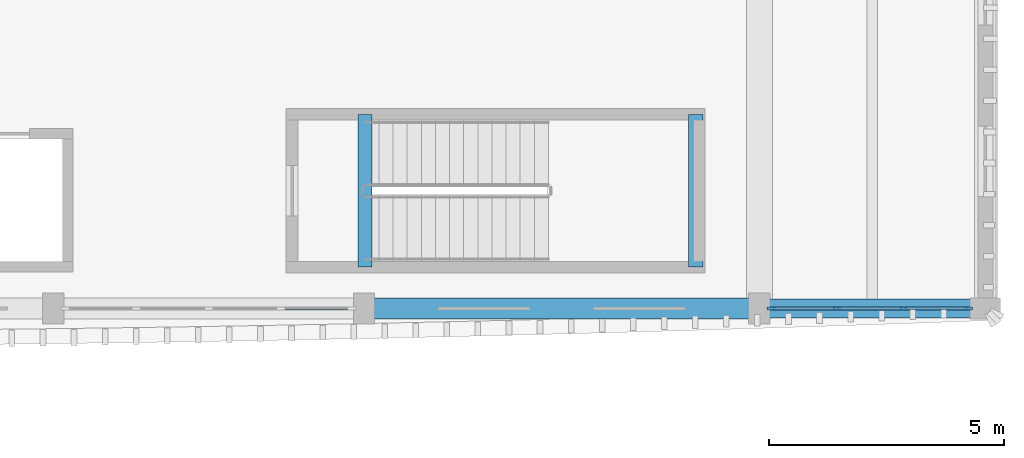
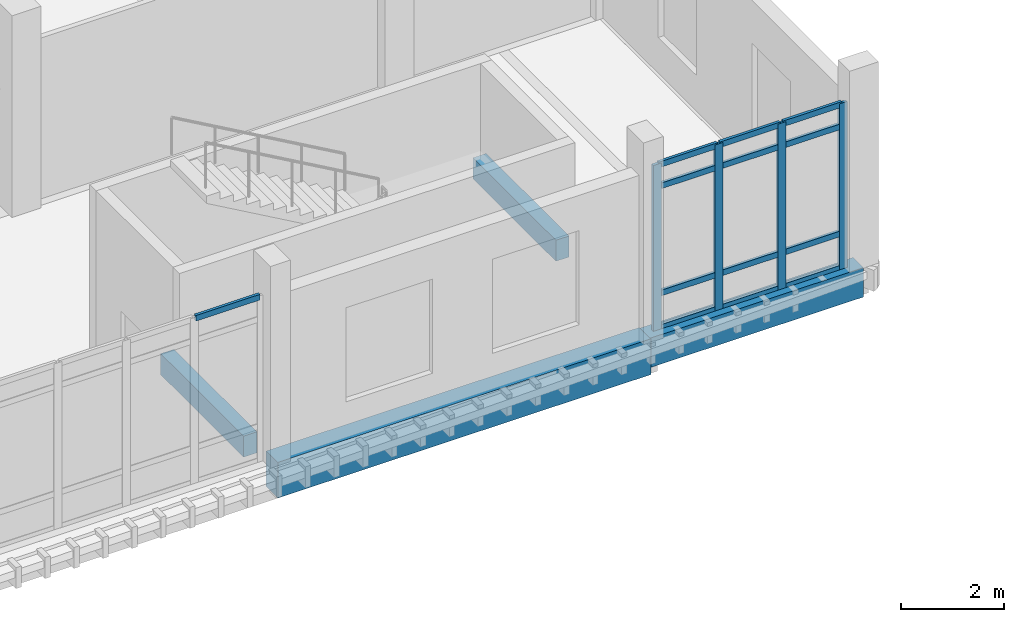
# One storey, part 14 of 50: 17 members, 4 beams, 2 elements without a shape of their own.
"""IFC4 building model written with IfcOpenShell, lengths in metres."""

from ifc_helpers import new_model, si_unit, direction, frame, origin, origin_2d, place, context, subcontext, project, spatial, rectangle, extrude, material, material_profile, profile_set, type_object, element, aggregate, save


model = new_model("IFC4")

# Units and contexts
model_context = context("Model", 3, precision=1e-05, world=origin(), true_north=direction((0.0, 1.0)))
body_context = subcontext(model_context, "Body", "Model", "MODEL_VIEW")
ifc_project = project(units=[si_unit("LENGTHUNIT", "METRE"), si_unit("AREAUNIT", "SQUARE_METRE"), si_unit("VOLUMEUNIT", "CUBIC_METRE"), si_unit("PLANEANGLEUNIT", "RADIAN"), si_unit("MASSUNIT", "GRAM", prefix="KILO")], contexts=[model_context])

# Site, building, storey
site_placement = place(None, origin())
site = spatial("IfcSite", under=ifc_project, at=site_placement, CompositionType="ELEMENT")
building_placement = place(site_placement, origin())
building = spatial("IfcBuilding", under=site, at=building_placement, Name="Dornvale Research Institute", CompositionType="ELEMENT")
storey_placement = place(building_placement, frame((0.0, 0.0, 19.800048828125)))
storey = spatial("IfcBuildingStorey", under=building, at=storey_placement, Name="L04", CompositionType="ELEMENT", Elevation=19.800048828125)

# Beams
ifc_material_1 = material(Name="Concrete f'c 45 MPa (C35/45)", Category="concrete")
ifc_material_profile_1 = material_profile(ifc_material_1, rectangle(XDim=0.300048828125, YDim=0.5, at=origin_2d()), Name="RC 300x500")
ifc_profile_set_1 = profile_set([ifc_material_profile_1], Name="Concrete f'c 45 MPa (C35/45)")
beam_type_1 = type_object("IfcBeamType", Name="Beam_RC300x500_Trim", PredefinedType="BEAM", material=ifc_profile_set_1)
for number, where, z_axis, x_axis, name in (
    (1, (165.02001953125, 93.280029296875, -0.25), (0.0, 1.0, 0.0), (-1.0, 0.0, 0.0), "L04 ST-4 stair landing trimmer beam #66"),
    (2, (172.050048828125, 93.280029296875, 1.949951171875), (0.0, 1.0, 0.0), (-1.0, 0.0, 0.0), "L04 ST-4 half-landing support beam #75"),
):
    element("IfcBeam", number, at=place(storey_placement, frame(where, z_axis=z_axis, x_axis=x_axis)), inside=storey, type_object=beam_type_1, Name=name, PredefinedType="BEAM", context=body_context, shape_type="SweptSolid", body=[
        extrude(rectangle(XDim=0.300048828125, YDim=0.5, at=origin_2d()), origin(), (0.0, 0.0, 1.0), 3.239990234375),
    ])

# Curtain wall, members
ifc_material_2 = material(Name="Low-E Argon Double Insulating Glazing Unit", Category="glass")
curtain_wall_type_1 = type_object("IfcCurtainWallType", Name="UnitisedCurtainWall_V4_4250x3950", PredefinedType="USERDEFINED", material=ifc_material_2)
curtain_wall_1_placement = place(storey_placement, origin())
curtain_wall_1 = element("IfcCurtainWall", 3, at=curtain_wall_1_placement, inside=storey, type_object=curtain_wall_type_1, Name="L04 V4 unitised curtain wall CW-17 #104", ObjectType="UNITISED CURTAIN WALL", PredefinedType="USERDEFINED")
ifc_material_3 = material(Name="Anodized Aluminum AA 6063-T6 Thermally Broken Frame", Category="aluminium")
ifc_material_profile_2 = material_profile(ifc_material_3, rectangle(XDim=0.06494140625, YDim=0.179931640625, at=origin_2d()), Name="ALU MULLION 65x180")
ifc_profile_set_2 = profile_set([ifc_material_profile_2], Name="Anodized Aluminum AA 6063-T6 Thermally Broken Frame")
member_type_1 = type_object("IfcMemberType", Name="Mullion_CW_65x180", PredefinedType="MULLION", material=ifc_profile_set_2)
member_1_placement = place(storey_placement, frame((177.842529296875, 92.39990234375, 0.0), z_axis=(0.0, 0.0, 1.0), x_axis=(0.0, -1.0, 0.0)))
member_1 = element("IfcMember", 4, at=member_1_placement, type_object=member_type_1, Name="CW-17 mullion 1", PredefinedType="MULLION", context=body_context, shape_type="SweptSolid", body=[
    extrude(rectangle(XDim=0.06494140625, YDim=0.179931640625, at=origin_2d()), origin(), (0.0, 0.0, 1.0), 3.949951171875),
])
member_2_placement = place(storey_placement, frame((176.458251953125, 92.39990234375, 0.0), z_axis=(0.0, 0.0, 1.0), x_axis=(0.0, -1.0, 0.0)))
member_2 = element("IfcMember", 5, at=member_2_placement, type_object=member_type_1, Name="CW-17 mullion 2", PredefinedType="MULLION", context=body_context, shape_type="SweptSolid", body=[
    extrude(rectangle(XDim=0.06494140625, YDim=0.179931640625, at=origin_2d()), origin(), (0.0, 0.0, 1.0), 3.949951171875),
])
member_3_placement = place(storey_placement, frame((175.041748046875, 92.39990234375, 0.0), z_axis=(0.0, 0.0, 1.0), x_axis=(0.0, -1.0, 0.0)))
member_3 = element("IfcMember", 6, at=member_3_placement, type_object=member_type_1, Name="CW-17 mullion 3", PredefinedType="MULLION", context=body_context, shape_type="SweptSolid", body=[
    extrude(rectangle(XDim=0.06494140625, YDim=0.179931640625, at=origin_2d()), origin(), (0.0, 0.0, 1.0), 3.949951171875),
])
member_4_placement = place(storey_placement, frame((173.657470703125, 92.39990234375, 0.0), z_axis=(0.0, 0.0, 1.0), x_axis=(0.0, -1.0, 0.0)))
member_4 = element("IfcMember", 7, at=member_4_placement, type_object=member_type_1, Name="CW-17 mullion 4", PredefinedType="MULLION", context=body_context, shape_type="SweptSolid", body=[
    extrude(rectangle(XDim=0.06494140625, YDim=0.179931640625, at=origin_2d()), origin(), (0.0, 0.0, 1.0), 3.949951171875),
])

# Beams
ifc_material_4 = material(Name="Concrete f'c 45 MPa (C35/45)", Category="concrete")
ifc_material_profile_3 = material_profile(ifc_material_4, rectangle(XDim=0.39990234375, YDim=0.699951171875, at=origin_2d()), Name="RC 400x700")
ifc_profile_set_3 = profile_set([ifc_material_profile_3], Name="Concrete f'c 45 MPa (C35/45)")
beam_type_2 = type_object("IfcBeamType", Name="Spandrel_RC400x700_Ext", PredefinedType="SPANDREL", material=ifc_profile_set_3)
beam_1_placement = place(storey_placement, frame((173.39990234375, 92.39990234375, -0.35009765625), z_axis=(1.0, 0.0, 0.0), x_axis=(0.0, 1.0, 0.0)))
element("IfcBeam", 8, at=beam_1_placement, inside=storey, type_object=beam_type_2, Name="L04 perimeter spandrel #1180", PredefinedType="SPANDREL", context=body_context, shape_type="SweptSolid", body=[
    extrude(rectangle(XDim=0.39990234375, YDim=0.699951171875, at=origin_2d()), origin(), (0.0, 0.0, 1.0), 4.800048828125),
])
ifc_material_5 = material(Name="Concrete f'c 45 MPa (C35/45)", Category="concrete")
ifc_material_profile_4 = material_profile(ifc_material_5, rectangle(XDim=0.449951171875, YDim=0.85009765625, at=origin_2d()), Name="RC 450x850")
ifc_profile_set_4 = profile_set([ifc_material_profile_4], Name="Concrete f'c 45 MPa (C35/45)")
beam_type_3 = type_object("IfcBeamType", Name="Spandrel_RC450x850_Ext", PredefinedType="SPANDREL", material=ifc_profile_set_4)
beam_2_placement = place(storey_placement, frame((165.0, 92.39990234375, -0.425048828125), z_axis=(1.0, 0.0, 0.0), x_axis=(0.0, 1.0, 0.0)))
element("IfcBeam", 9, at=beam_2_placement, inside=storey, type_object=beam_type_3, Name="L04 perimeter spandrel #1179", PredefinedType="SPANDREL", context=body_context, shape_type="SweptSolid", body=[
    extrude(rectangle(XDim=0.449951171875, YDim=0.85009765625, at=origin_2d()), origin(), (0.0, 0.0, 1.0), 8.39990234375),
])

# Member
ifc_material_6 = material(Name="Anodized Aluminum AA 6063-T6 Thermally Broken Frame", Category="aluminium")
ifc_material_profile_5 = material_profile(ifc_material_6, rectangle(XDim=0.06494140625, YDim=0.135009765625, at=origin_2d()), Name="ALU TRANSOM 65x135")
ifc_profile_set_5 = profile_set([ifc_material_profile_5], Name="Anodized Aluminum AA 6063-T6 Thermally Broken Frame")
member_type_2 = type_object("IfcMemberType", Name="Transom_CW_65x135", PredefinedType="USERDEFINED", material=ifc_profile_set_5)
member_5_placement = place(storey_placement, frame((177.81005859375, 92.39990234375, 0.032470703125), z_axis=(-1.0, 0.0, 0.0), x_axis=(0.0, -1.0, 0.0)))
member_5 = element("IfcMember", 10, at=member_5_placement, type_object=member_type_2, Name="CW-17 transom 1.1", ObjectType="TRANSOM", PredefinedType="USERDEFINED", context=body_context, shape_type="SweptSolid", body=[
    extrude(rectangle(XDim=0.06494140625, YDim=0.135009765625, at=origin_2d()), origin(), (0.0, 0.0, 1.0), 1.3193359375),
])

member_6_placement = place(storey_placement, frame((177.81005859375, 92.39990234375, 0.849853515625), z_axis=(-1.0, 0.0, 0.0), x_axis=(0.0, -1.0, 0.0)))
member_6 = element("IfcMember", 11, at=member_6_placement, type_object=member_type_2, Name="CW-17 transom 1.2", ObjectType="TRANSOM", PredefinedType="USERDEFINED", context=body_context, shape_type="SweptSolid", body=[
    extrude(rectangle(XDim=0.06494140625, YDim=0.135009765625, at=origin_2d()), origin(), (0.0, 0.0, 1.0), 1.3193359375),
])

member_7_placement = place(storey_placement, frame((177.81005859375, 92.39990234375, 3.39990234375), z_axis=(-1.0, 0.0, 0.0), x_axis=(0.0, -1.0, 0.0)))
member_7 = element("IfcMember", 12, at=member_7_placement, type_object=member_type_2, Name="CW-17 transom 1.3", ObjectType="TRANSOM", PredefinedType="USERDEFINED", context=body_context, shape_type="SweptSolid", body=[
    extrude(rectangle(XDim=0.06494140625, YDim=0.135009765625, at=origin_2d()), origin(), (0.0, 0.0, 1.0), 1.3193359375),
])

member_8_placement = place(storey_placement, frame((177.81005859375, 92.39990234375, 3.91748046875), z_axis=(-1.0, 0.0, 0.0), x_axis=(0.0, -1.0, 0.0)))
member_8 = element("IfcMember", 13, at=member_8_placement, type_object=member_type_2, Name="CW-17 transom 1.4", ObjectType="TRANSOM", PredefinedType="USERDEFINED", context=body_context, shape_type="SweptSolid", body=[
    extrude(rectangle(XDim=0.06494140625, YDim=0.135009765625, at=origin_2d()), origin(), (0.0, 0.0, 1.0), 1.3193359375),
])

member_9_placement = place(storey_placement, frame((176.42578125, 92.39990234375, 0.032470703125), z_axis=(-1.0, 0.0, 0.0), x_axis=(0.0, -1.0, 0.0)))
member_9 = element("IfcMember", 14, at=member_9_placement, type_object=member_type_2, Name="CW-17 transom 2.1", ObjectType="TRANSOM", PredefinedType="USERDEFINED", context=body_context, shape_type="SweptSolid", body=[
    extrude(rectangle(XDim=0.06494140625, YDim=0.135009765625, at=origin_2d()), origin(), (0.0, 0.0, 1.0), 1.3515625),
])

member_10_placement = place(storey_placement, frame((176.42578125, 92.39990234375, 0.849853515625), z_axis=(-1.0, 0.0, 0.0), x_axis=(0.0, -1.0, 0.0)))
member_10 = element("IfcMember", 15, at=member_10_placement, type_object=member_type_2, Name="CW-17 transom 2.2", ObjectType="TRANSOM", PredefinedType="USERDEFINED", context=body_context, shape_type="SweptSolid", body=[
    extrude(rectangle(XDim=0.06494140625, YDim=0.135009765625, at=origin_2d()), origin(), (0.0, 0.0, 1.0), 1.3515625),
])

member_11_placement = place(storey_placement, frame((176.42578125, 92.39990234375, 3.39990234375), z_axis=(-1.0, 0.0, 0.0), x_axis=(0.0, -1.0, 0.0)))
member_11 = element("IfcMember", 16, at=member_11_placement, type_object=member_type_2, Name="CW-17 transom 2.3", ObjectType="TRANSOM", PredefinedType="USERDEFINED", context=body_context, shape_type="SweptSolid", body=[
    extrude(rectangle(XDim=0.06494140625, YDim=0.135009765625, at=origin_2d()), origin(), (0.0, 0.0, 1.0), 1.3515625),
])

member_12_placement = place(storey_placement, frame((176.42578125, 92.39990234375, 3.91748046875), z_axis=(-1.0, 0.0, 0.0), x_axis=(0.0, -1.0, 0.0)))
member_12 = element("IfcMember", 17, at=member_12_placement, type_object=member_type_2, Name="CW-17 transom 2.4", ObjectType="TRANSOM", PredefinedType="USERDEFINED", context=body_context, shape_type="SweptSolid", body=[
    extrude(rectangle(XDim=0.06494140625, YDim=0.135009765625, at=origin_2d()), origin(), (0.0, 0.0, 1.0), 1.3515625),
])

member_13_placement = place(storey_placement, frame((175.00927734375, 92.39990234375, 0.032470703125), z_axis=(-1.0, 0.0, 0.0), x_axis=(0.0, -1.0, 0.0)))
member_13 = element("IfcMember", 18, at=member_13_placement, type_object=member_type_2, Name="CW-17 transom 3.1", ObjectType="TRANSOM", PredefinedType="USERDEFINED", context=body_context, shape_type="SweptSolid", body=[
    extrude(rectangle(XDim=0.06494140625, YDim=0.135009765625, at=origin_2d()), origin(), (0.0, 0.0, 1.0), 1.3193359375),
])

member_14_placement = place(storey_placement, frame((175.00927734375, 92.39990234375, 0.849853515625), z_axis=(-1.0, 0.0, 0.0), x_axis=(0.0, -1.0, 0.0)))
member_14 = element("IfcMember", 19, at=member_14_placement, type_object=member_type_2, Name="CW-17 transom 3.2", ObjectType="TRANSOM", PredefinedType="USERDEFINED", context=body_context, shape_type="SweptSolid", body=[
    extrude(rectangle(XDim=0.06494140625, YDim=0.135009765625, at=origin_2d()), origin(), (0.0, 0.0, 1.0), 1.3193359375),
])

member_15_placement = place(storey_placement, frame((175.00927734375, 92.39990234375, 3.39990234375), z_axis=(-1.0, 0.0, 0.0), x_axis=(0.0, -1.0, 0.0)))
member_15 = element("IfcMember", 20, at=member_15_placement, type_object=member_type_2, Name="CW-17 transom 3.3", ObjectType="TRANSOM", PredefinedType="USERDEFINED", context=body_context, shape_type="SweptSolid", body=[
    extrude(rectangle(XDim=0.06494140625, YDim=0.135009765625, at=origin_2d()), origin(), (0.0, 0.0, 1.0), 1.3193359375),
])

member_16_placement = place(storey_placement, frame((175.00927734375, 92.39990234375, 3.91748046875), z_axis=(-1.0, 0.0, 0.0), x_axis=(0.0, -1.0, 0.0)))
member_16 = element("IfcMember", 21, at=member_16_placement, type_object=member_type_2, Name="CW-17 transom 3.4", ObjectType="TRANSOM", PredefinedType="USERDEFINED", context=body_context, shape_type="SweptSolid", body=[
    extrude(rectangle(XDim=0.06494140625, YDim=0.135009765625, at=origin_2d()), origin(), (0.0, 0.0, 1.0), 1.3193359375),
])

aggregate(curtain_wall_1, [member_1, member_2, member_3, member_4, member_5, member_6, member_7, member_8, member_9, member_10, member_11, member_12, member_13, member_14, member_15, member_16])

# Curtain wall, member
ifc_material_7 = material(Name="Low-E Argon Double Insulating Glazing Unit", Category="glass")
curtain_wall_type_2 = type_object("IfcCurtainWallType", Name="UnitisedCurtainWall_V4_6150x3950", PredefinedType="USERDEFINED", material=ifc_material_7)
curtain_wall_2_placement = place(storey_placement, origin())
curtain_wall_2 = element("IfcCurtainWall", 22, at=curtain_wall_2_placement, inside=storey, type_object=curtain_wall_type_2, Name="L04 V4 unitised curtain wall CW-15 #105", ObjectType="UNITISED CURTAIN WALL", PredefinedType="USERDEFINED")
member_17_placement = place(storey_placement, frame((164.7099609375, 92.39990234375, 3.91748046875), z_axis=(-1.0, 0.0, 0.0), x_axis=(0.0, -1.0, 0.0)))
member_17 = element("IfcMember", 23, at=member_17_placement, type_object=member_type_2, Name="CW-15 transom 1.4", ObjectType="TRANSOM", PredefinedType="USERDEFINED", context=body_context, shape_type="SweptSolid", body=[
    extrude(rectangle(XDim=0.06494140625, YDim=0.135009765625, at=origin_2d()), origin(), (0.0, 0.0, 1.0), 1.43994140625),
])
aggregate(curtain_wall_2, [member_17])

save(model, "model.ifc")
